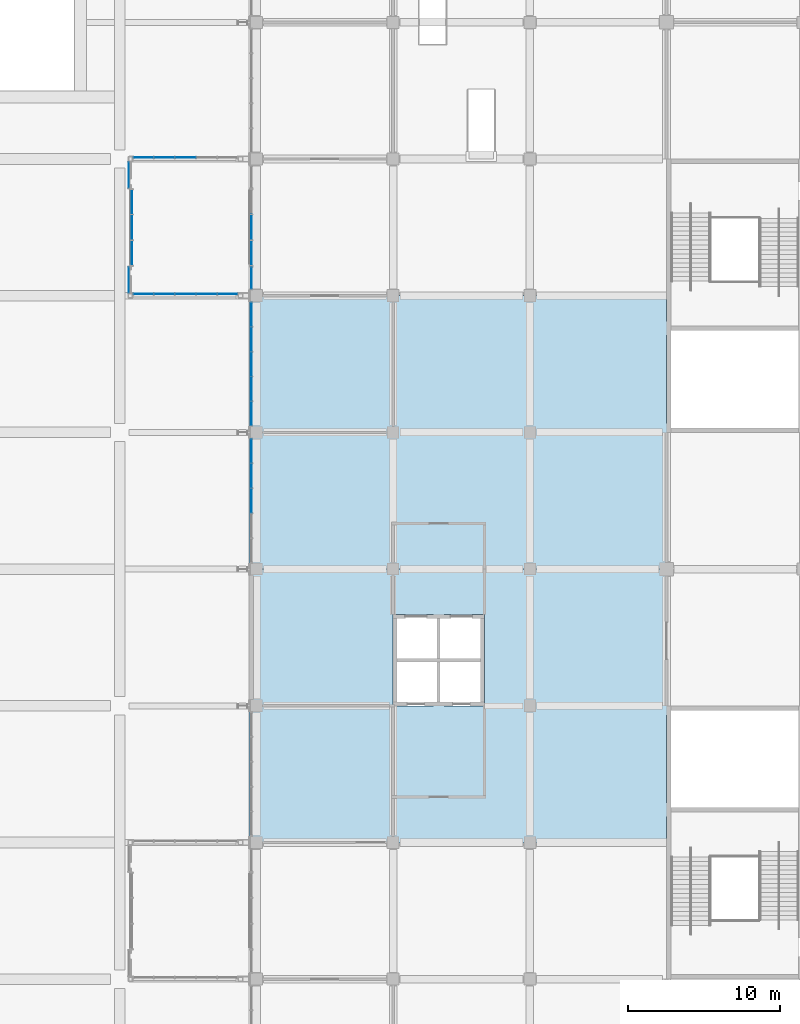
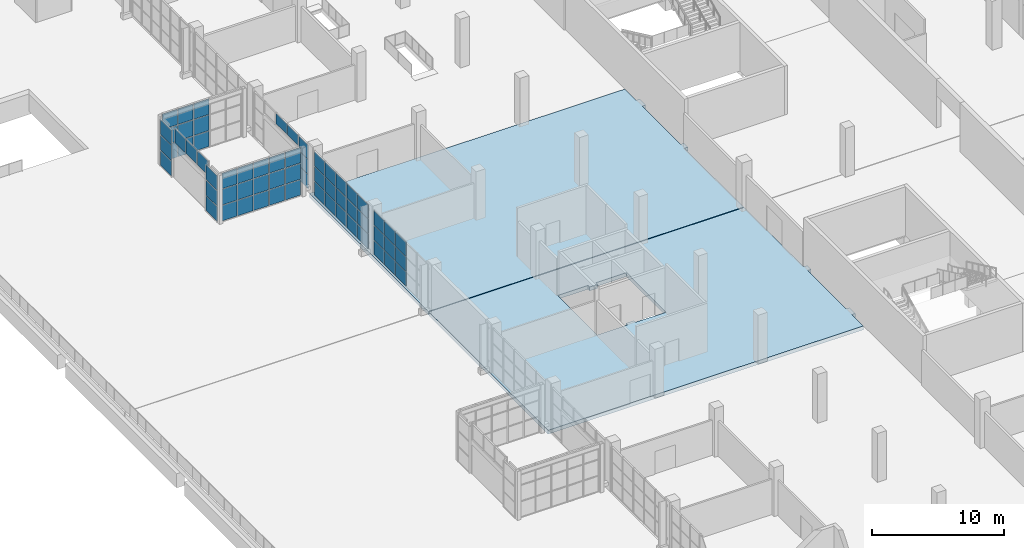
# One storey, part 80 of 168: 62 plates, 2 slabs, 9 elements without a shape of their own.
"""IFC4 building model written with IfcOpenShell, lengths in metres."""

import ifcopenshell
import ifcopenshell.guid

model = None  # the IFC model being written
_history = None  # IfcOwnerHistory: only IFC2X3 demands one
_inside = {}  # id of a spatial element -> (the spatial element, [elements in it])
_under = {}  # id of a project, library or spatial element -> (it, [spatial elements below it])
_declared = {}  # id of a project -> (the project, [libraries it declares])
_typed = {}  # id of a type object -> (the type object, [elements of that type])
_made_of = {}  # id of a material, layer set ... -> (it, [elements and type objects made of it])


def new_model(schema):
    """Start an empty IFC model of exactly this schema.

    Asked for "IFC4X3", IfcOpenShell would pick the latest addendum, in which some entities
    have other attributes; the version numbers below select the first issue.
    IFC2X3 requires an IfcOwnerHistory on every rooted entity: one is made here for all.
    """
    global model, _history
    if schema == "IFC4X3":
        model = ifcopenshell.file(schema_version=(4, 3, 0, 0))
    else:
        model = ifcopenshell.file(schema=schema)
    _inside.clear()
    _under.clear()
    _declared.clear()
    _typed.clear()
    _made_of.clear()
    _history = None
    if model.schema == "IFC2X3":
        org = make("IfcOrganization", Name="unknown")
        user = make(
            "IfcPersonAndOrganization",
            ThePerson=make("IfcPerson", FamilyName="unknown"),
            TheOrganization=org,
        )
        app = make(
            "IfcApplication",
            ApplicationDeveloper=org,
            Version="unknown",
            ApplicationFullName="unknown",
            ApplicationIdentifier="unknown",
        )
        _history = make(
            "IfcOwnerHistory",
            OwningUser=user,
            OwningApplication=app,
            ChangeAction="ADDED",
            CreationDate=0,
        )
    return model


def make(cls, **values):
    """One entity of the class cls with the attributes given. An attribute that is None is left unset."""
    return model.create_entity(
        cls, **{name: value for name, value in values.items() if value is not None}
    )


def rooted(cls, **values):
    """An entity with a GlobalId (a new one), such as an element, a storey or a relation."""
    return make(cls, GlobalId=ifcopenshell.guid.new(), OwnerHistory=_history, **values)


def si_unit(unit_type, name, prefix=None):
    """IfcSIUnit, for example si_unit("LENGTHUNIT", "METRE", prefix="MILLI")."""
    return make("IfcSIUnit", UnitType=unit_type, Prefix=prefix, Name=name)


def assignment(units):
    """IfcUnitAssignment: the units of a project."""
    return None if units is None else make("IfcUnitAssignment", Units=units)


def point(xyz):
    """IfcCartesianPoint."""
    return None if xyz is None else make("IfcCartesianPoint", Coordinates=xyz)


def direction(xyz):
    """IfcDirection."""
    return None if xyz is None else make("IfcDirection", DirectionRatios=xyz)


def frame(location, z_axis=None, x_axis=None):
    """IfcAxis2Placement3D, a coordinate frame: its origin and axes. An axis left out is left unset."""
    return make(
        "IfcAxis2Placement3D",
        Location=point(location),
        Axis=direction(z_axis),
        RefDirection=direction(x_axis),
    )


def frame_2d(location, x_axis=None):
    """IfcAxis2Placement2D, a coordinate frame in the plane: its origin and x axis."""
    return make(
        "IfcAxis2Placement2D", Location=point(location), RefDirection=direction(x_axis)
    )


def origin():
    """The frame at (0, 0, 0) with its axes left unset."""
    return frame((0.0, 0.0, 0.0))


def origin_2d():
    """The frame at (0, 0) in the plane with its x axis left unset."""
    return frame_2d((0.0, 0.0))


def place(relative_to, where):
    """IfcLocalPlacement: puts the frame where relative to a parent placement (None: the world)."""
    return make(
        "IfcLocalPlacement", PlacementRelTo=relative_to, RelativePlacement=where
    )


def context(
    kind, dimensions, precision=None, world=None, true_north=None, identifier=None
):
    """IfcGeometricRepresentationContext, for example the 3D "Model" context."""
    return make(
        "IfcGeometricRepresentationContext",
        ContextIdentifier=identifier,
        ContextType=kind,
        CoordinateSpaceDimension=dimensions,
        Precision=precision,
        WorldCoordinateSystem=world,
        TrueNorth=true_north,
    )


def subcontext(parent, identifier, kind, view, scale=None):
    """IfcGeometricRepresentationSubContext, for example "Body" below "Model"."""
    return make(
        "IfcGeometricRepresentationSubContext",
        ContextIdentifier=identifier,
        ContextType=kind,
        ParentContext=parent,
        TargetScale=scale,
        TargetView=view,
    )


def project(units=None, contexts=None):
    """IfcProject with its units and contexts."""
    return rooted(
        "IfcProject",
        Name="project",
        RepresentationContexts=contexts,
        UnitsInContext=assignment(units),
    )


def spatial(cls, under=None, at=None, **own):
    """A site, building, storey or space (cls), placed at a placement, below another one or the project."""
    s = rooted(cls, ObjectPlacement=at, **own)
    if under is not None:
        _under.setdefault(under.id(), (under, []))[1].append(s)
    return s


def polyline(points):
    """IfcPolyline through the points."""
    return make("IfcPolyline", Points=[point(p) for p in points])


def profile(cls, at=None, kind="AREA", **sizes):
    """A parametric profile (cls). Its sizes go by their IFC names, for example OverallWidth=200.0."""
    return make(cls, ProfileType=kind, Position=at, **sizes)


def rectangle(**sizes):
    """IfcRectangleProfileDef."""
    return profile("IfcRectangleProfileDef", **sizes)


def outline(outer, holes=None, kind="AREA"):
    """IfcArbitraryClosedProfileDef: a profile drawn as a closed curve; with holes, ...WithVoids."""
    if holes is None:
        return make("IfcArbitraryClosedProfileDef", ProfileType=kind, OuterCurve=outer)
    return make(
        "IfcArbitraryProfileDefWithVoids",
        ProfileType=kind,
        OuterCurve=outer,
        InnerCurves=holes,
    )


def extrude(swept, where, along, depth):
    """IfcExtrudedAreaSolid: the profile swept, set in the frame where, extruded along a direction by depth."""
    return make(
        "IfcExtrudedAreaSolid",
        SweptArea=swept,
        Position=where,
        ExtrudedDirection=direction(along),
        Depth=depth,
    )


def shape(context_of_items, identifier, shape_type, items):
    """IfcShapeRepresentation: the items that make up one representation, for example the "Body"."""
    return make(
        "IfcShapeRepresentation",
        ContextOfItems=context_of_items,
        RepresentationIdentifier=identifier,
        RepresentationType=shape_type,
        Items=items,
    )


def material(Name=None, Category=None):
    """IfcMaterial."""
    return make("IfcMaterial", Name=Name, Category=Category)


def layer(
    of_material, thickness, ventilated=None, Name=None, Category=None, Priority=None
):
    """IfcMaterialLayer: one layer of a wall or slab, of a material (None: an air gap)."""
    return make(
        "IfcMaterialLayer",
        Material=of_material,
        LayerThickness=thickness,
        IsVentilated=ventilated,
        Name=Name,
        Category=Category,
        Priority=Priority,
    )


def layer_set(layers, Name=None):
    """IfcMaterialLayerSet."""
    return make("IfcMaterialLayerSet", MaterialLayers=layers, LayerSetName=Name)


def made_of(thing, what):
    """Note that an element or type object is made of a material, layer set ...; save() writes the relation."""
    if what is not None:
        _made_of.setdefault(what.id(), (what, []))[1].append(thing)
    return thing


def type_object(cls, material=None, **own):
    """A type object (cls), such as IfcWallType, which elements share."""
    return made_of(rooted(cls, **own), material)


def element(
    cls,
    number,
    at=None,
    inside=None,
    cuts=None,
    type_object=None,
    material=None,
    context=None,
    identifier="Body",
    shape_type=None,
    held_by="IfcProductDefinitionShape",
    body=None,
    shapes=None,
    **own,
):
    """One element of the class cls, such as IfcWall. Its Tag is "e" and its number.

    at: its placement. inside: the storey or other place that contains it. cuts: it is an
    opening in that element (IfcRelVoidsElement). A single representation is given by context,
    identifier, shape_type and body (its items); several are given by shapes. held_by: the class
    of the entity that holds the representations. save() writes the other relations.
    """
    e = rooted(cls, Tag="e%d" % number, ObjectPlacement=at, **own)
    if body is not None:
        shapes = [shape(context, identifier, shape_type, body)]
    if shapes is not None:
        e.Representation = make(held_by, Representations=shapes)
    if inside is not None:
        _inside.setdefault(inside.id(), (inside, []))[1].append(e)
    if cuts is not None:
        rooted(
            "IfcRelVoidsElement", RelatingBuildingElement=cuts, RelatedOpeningElement=e
        )
    if type_object is not None:
        _typed.setdefault(type_object.id(), (type_object, []))[1].append(e)
    return made_of(e, material)


def aggregate(whole, parts):
    """IfcRelAggregates: a whole, such as a stair, and the parts it consists of."""
    return rooted("IfcRelAggregates", RelatingObject=whole, RelatedObjects=parts)


def save(model, path):
    """Write the relations noted so far, then the file.

    IfcRelAggregates (storeys below a building ...), IfcRelContainedInSpatialStructure (elements
    in a storey), IfcRelDefinesByType, IfcRelAssociatesMaterial and IfcRelDeclares: one each for
    every whole, place, type object, material and project.
    """
    for whole, parts in _under.values():
        aggregate(whole, parts)
    for where, things in _inside.values():
        rooted(
            "IfcRelContainedInSpatialStructure",
            RelatedElements=things,
            RelatingStructure=where,
        )
    for kind, things in _typed.values():
        rooted("IfcRelDefinesByType", RelatedObjects=things, RelatingType=kind)
    for what, things in _made_of.values():
        rooted("IfcRelAssociatesMaterial", RelatedObjects=things, RelatingMaterial=what)
    for by, libraries in _declared.values():
        rooted("IfcRelDeclares", RelatingContext=by, RelatedDefinitions=libraries)
    model.write(path)


model = new_model("IFC4")

# Units and contexts
model_context = context("Model", 3, precision=1e-05, world=origin(), true_north=direction((0.0, 1.0)))
body_context = subcontext(model_context, "Body", "Model", "MODEL_VIEW")
ifc_project = project(units=[si_unit("LENGTHUNIT", "METRE"), si_unit("AREAUNIT", "SQUARE_METRE"), si_unit("VOLUMEUNIT", "CUBIC_METRE"), si_unit("PLANEANGLEUNIT", "RADIAN"), si_unit("MASSUNIT", "GRAM", prefix="KILO")], contexts=[model_context])

# Site, building, storey
site_placement = place(None, origin())
site = spatial("IfcSite", under=ifc_project, at=site_placement, CompositionType="ELEMENT")
building_placement = place(site_placement, origin())
building = spatial("IfcBuilding", under=site, at=building_placement, Name="Silverbay Arena", CompositionType="ELEMENT")
storey_placement = place(building_placement, frame((0.0, 0.0, 7.0)))
storey = spatial("IfcBuildingStorey", under=building, at=storey_placement, Name="L01", CompositionType="ELEMENT", Elevation=7.0)

# Curtain wall, plates
ifc_material_1 = material(Name="Aluminium framed curtain wall", Category="aluminium")
curtain_wall_type_1 = type_object("IfcCurtainWallType", Name="Curtain wall 8200 x 4150", PredefinedType="NOTDEFINED", material=ifc_material_1)
curtain_wall_1_placement = place(storey_placement, origin())
curtain_wall_1 = element("IfcCurtainWall", 1, at=curtain_wall_1_placement, inside=storey, type_object=curtain_wall_type_1, Name="West curtain wall L01 bay 8", PredefinedType="NOTDEFINED")
ifc_material_2 = material(Name="Laminated glass", Category="glass")
ifc_layer_1 = layer(ifc_material_2, 0.028076171875)
ifc_layer_set_1 = layer_set([ifc_layer_1], Name="Laminated glass")
plate_type = type_object("IfcPlateType", Name="Glass panel 28", PredefinedType="CURTAIN_PANEL", material=ifc_layer_set_1)
plate_1_placement = place(storey_placement, frame((26.669921875, 88.764892578125, 0.0498046875), z_axis=(0.0, 0.0, 1.0), x_axis=(0.0, -1.0, 0.0)))
plate_1 = element("IfcPlate", 2, at=plate_1_placement, type_object=plate_type, Name="CW7 panel 1.1", PredefinedType="CURTAIN_PANEL", context=body_context, shape_type="SweptSolid", body=[
    extrude(rectangle(XDim=1.550048828125, YDim=0.028076171875, at=origin_2d()), origin(), (0.0, 0.0, 1.0), 1.308349609375),
])
plate_2_placement = place(storey_placement, frame((26.669921875, 88.764892578125, 1.408203125), z_axis=(0.0, 0.0, 1.0), x_axis=(0.0, -1.0, 0.0)))
plate_2 = element("IfcPlate", 3, at=plate_2_placement, type_object=plate_type, Name="CW7 panel 1.2", PredefinedType="CURTAIN_PANEL", context=body_context, shape_type="SweptSolid", body=[
    extrude(rectangle(XDim=1.550048828125, YDim=0.028076171875, at=origin_2d()), origin(), (0.0, 0.0, 1.0), 1.333251953125),
])
plate_3_placement = place(storey_placement, frame((26.669921875, 88.764892578125, 2.79150390625), z_axis=(0.0, 0.0, 1.0), x_axis=(0.0, -1.0, 0.0)))
plate_3 = element("IfcPlate", 4, at=plate_3_placement, type_object=plate_type, Name="CW7 panel 1.3", PredefinedType="CURTAIN_PANEL", context=body_context, shape_type="SweptSolid", body=[
    extrude(rectangle(XDim=1.550048828125, YDim=0.028076171875, at=origin_2d()), origin(), (0.0, 0.0, 1.0), 1.308349609375),
])
plate_4_placement = place(storey_placement, frame((26.669921875, 87.139892578125, 0.0498046875), z_axis=(0.0, 0.0, 1.0), x_axis=(0.0, -1.0, 0.0)))
plate_4 = element("IfcPlate", 5, at=plate_4_placement, type_object=plate_type, Name="CW7 panel 2.1", PredefinedType="CURTAIN_PANEL", context=body_context, shape_type="SweptSolid", body=[
    extrude(rectangle(XDim=1.580078125, YDim=0.028076171875, at=origin_2d()), origin(), (0.0, 0.0, 1.0), 1.308349609375),
])
plate_5_placement = place(storey_placement, frame((26.669921875, 87.139892578125, 1.408203125), z_axis=(0.0, 0.0, 1.0), x_axis=(0.0, -1.0, 0.0)))
plate_5 = element("IfcPlate", 6, at=plate_5_placement, type_object=plate_type, Name="CW7 panel 2.2", PredefinedType="CURTAIN_PANEL", context=body_context, shape_type="SweptSolid", body=[
    extrude(rectangle(XDim=1.580078125, YDim=0.028076171875, at=origin_2d()), origin(), (0.0, 0.0, 1.0), 1.333251953125),
])
plate_6_placement = place(storey_placement, frame((26.669921875, 87.139892578125, 2.79150390625), z_axis=(0.0, 0.0, 1.0), x_axis=(0.0, -1.0, 0.0)))
plate_6 = element("IfcPlate", 7, at=plate_6_placement, type_object=plate_type, Name="CW7 panel 2.3", PredefinedType="CURTAIN_PANEL", context=body_context, shape_type="SweptSolid", body=[
    extrude(rectangle(XDim=1.580078125, YDim=0.028076171875, at=origin_2d()), origin(), (0.0, 0.0, 1.0), 1.308349609375),
])
plate_7_placement = place(storey_placement, frame((26.669921875, 85.5, 0.0498046875), z_axis=(0.0, 0.0, 1.0), x_axis=(0.0, -1.0, 0.0)))
plate_7 = element("IfcPlate", 8, at=plate_7_placement, type_object=plate_type, Name="CW7 panel 3.1", PredefinedType="CURTAIN_PANEL", context=body_context, shape_type="SweptSolid", body=[
    extrude(rectangle(XDim=1.580078125, YDim=0.028076171875, at=origin_2d()), origin(), (0.0, 0.0, 1.0), 1.308349609375),
])
plate_8_placement = place(storey_placement, frame((26.669921875, 85.5, 1.408203125), z_axis=(0.0, 0.0, 1.0), x_axis=(0.0, -1.0, 0.0)))
plate_8 = element("IfcPlate", 9, at=plate_8_placement, type_object=plate_type, Name="CW7 panel 3.2", PredefinedType="CURTAIN_PANEL", context=body_context, shape_type="SweptSolid", body=[
    extrude(rectangle(XDim=1.580078125, YDim=0.028076171875, at=origin_2d()), origin(), (0.0, 0.0, 1.0), 1.333251953125),
])
plate_9_placement = place(storey_placement, frame((26.669921875, 85.5, 2.79150390625), z_axis=(0.0, 0.0, 1.0), x_axis=(0.0, -1.0, 0.0)))
plate_9 = element("IfcPlate", 10, at=plate_9_placement, type_object=plate_type, Name="CW7 panel 3.3", PredefinedType="CURTAIN_PANEL", context=body_context, shape_type="SweptSolid", body=[
    extrude(rectangle(XDim=1.580078125, YDim=0.028076171875, at=origin_2d()), origin(), (0.0, 0.0, 1.0), 1.308349609375),
])
aggregate(curtain_wall_1, [plate_1, plate_2, plate_3, plate_4, plate_5, plate_6, plate_7, plate_8, plate_9])

curtain_wall_2_placement = place(storey_placement, origin())
curtain_wall_2 = element("IfcCurtainWall", 11, at=curtain_wall_2_placement, inside=storey, type_object=curtain_wall_type_1, Name="West curtain wall L01 bay 9", PredefinedType="NOTDEFINED")
plate_10_placement = place(storey_placement, frame((26.669921875, 97.764892578125, 0.0498046875), z_axis=(0.0, 0.0, 1.0), x_axis=(0.0, -1.0, 0.0)))
plate_10 = element("IfcPlate", 12, at=plate_10_placement, type_object=plate_type, Name="CW7 panel 1.1", PredefinedType="CURTAIN_PANEL", context=body_context, shape_type="SweptSolid", body=[
    extrude(rectangle(XDim=1.550048828125, YDim=0.028076171875, at=origin_2d()), origin(), (0.0, 0.0, 1.0), 1.308349609375),
])
plate_11_placement = place(storey_placement, frame((26.669921875, 97.764892578125, 1.408203125), z_axis=(0.0, 0.0, 1.0), x_axis=(0.0, -1.0, 0.0)))
plate_11 = element("IfcPlate", 13, at=plate_11_placement, type_object=plate_type, Name="CW7 panel 1.2", PredefinedType="CURTAIN_PANEL", context=body_context, shape_type="SweptSolid", body=[
    extrude(rectangle(XDim=1.550048828125, YDim=0.028076171875, at=origin_2d()), origin(), (0.0, 0.0, 1.0), 1.333251953125),
])
plate_12_placement = place(storey_placement, frame((26.669921875, 97.764892578125, 2.79150390625), z_axis=(0.0, 0.0, 1.0), x_axis=(0.0, -1.0, 0.0)))
plate_12 = element("IfcPlate", 14, at=plate_12_placement, type_object=plate_type, Name="CW7 panel 1.3", PredefinedType="CURTAIN_PANEL", context=body_context, shape_type="SweptSolid", body=[
    extrude(rectangle(XDim=1.550048828125, YDim=0.028076171875, at=origin_2d()), origin(), (0.0, 0.0, 1.0), 1.308349609375),
])
plate_13_placement = place(storey_placement, frame((26.669921875, 96.139892578125, 0.0498046875), z_axis=(0.0, 0.0, 1.0), x_axis=(0.0, -1.0, 0.0)))
plate_13 = element("IfcPlate", 15, at=plate_13_placement, type_object=plate_type, Name="CW7 panel 2.1", PredefinedType="CURTAIN_PANEL", context=body_context, shape_type="SweptSolid", body=[
    extrude(rectangle(XDim=1.580078125, YDim=0.028076171875, at=origin_2d()), origin(), (0.0, 0.0, 1.0), 1.308349609375),
])
plate_14_placement = place(storey_placement, frame((26.669921875, 96.139892578125, 1.408203125), z_axis=(0.0, 0.0, 1.0), x_axis=(0.0, -1.0, 0.0)))
plate_14 = element("IfcPlate", 16, at=plate_14_placement, type_object=plate_type, Name="CW7 panel 2.2", PredefinedType="CURTAIN_PANEL", context=body_context, shape_type="SweptSolid", body=[
    extrude(rectangle(XDim=1.580078125, YDim=0.028076171875, at=origin_2d()), origin(), (0.0, 0.0, 1.0), 1.333251953125),
])
plate_15_placement = place(storey_placement, frame((26.669921875, 96.139892578125, 2.79150390625), z_axis=(0.0, 0.0, 1.0), x_axis=(0.0, -1.0, 0.0)))
plate_15 = element("IfcPlate", 17, at=plate_15_placement, type_object=plate_type, Name="CW7 panel 2.3", PredefinedType="CURTAIN_PANEL", context=body_context, shape_type="SweptSolid", body=[
    extrude(rectangle(XDim=1.580078125, YDim=0.028076171875, at=origin_2d()), origin(), (0.0, 0.0, 1.0), 1.308349609375),
])
plate_16_placement = place(storey_placement, frame((26.669921875, 94.5, 0.0498046875), z_axis=(0.0, 0.0, 1.0), x_axis=(0.0, -1.0, 0.0)))
plate_16 = element("IfcPlate", 18, at=plate_16_placement, type_object=plate_type, Name="CW7 panel 3.1", PredefinedType="CURTAIN_PANEL", context=body_context, shape_type="SweptSolid", body=[
    extrude(rectangle(XDim=1.580078125, YDim=0.028076171875, at=origin_2d()), origin(), (0.0, 0.0, 1.0), 1.308349609375),
])
plate_17_placement = place(storey_placement, frame((26.669921875, 94.5, 1.408203125), z_axis=(0.0, 0.0, 1.0), x_axis=(0.0, -1.0, 0.0)))
plate_17 = element("IfcPlate", 19, at=plate_17_placement, type_object=plate_type, Name="CW7 panel 3.2", PredefinedType="CURTAIN_PANEL", context=body_context, shape_type="SweptSolid", body=[
    extrude(rectangle(XDim=1.580078125, YDim=0.028076171875, at=origin_2d()), origin(), (0.0, 0.0, 1.0), 1.333251953125),
])
plate_18_placement = place(storey_placement, frame((26.669921875, 94.5, 2.79150390625), z_axis=(0.0, 0.0, 1.0), x_axis=(0.0, -1.0, 0.0)))
plate_18 = element("IfcPlate", 20, at=plate_18_placement, type_object=plate_type, Name="CW7 panel 3.3", PredefinedType="CURTAIN_PANEL", context=body_context, shape_type="SweptSolid", body=[
    extrude(rectangle(XDim=1.580078125, YDim=0.028076171875, at=origin_2d()), origin(), (0.0, 0.0, 1.0), 1.308349609375),
])
plate_19_placement = place(storey_placement, frame((26.669921875, 92.860107421875, 0.0498046875), z_axis=(0.0, 0.0, 1.0), x_axis=(0.0, -1.0, 0.0)))
plate_19 = element("IfcPlate", 21, at=plate_19_placement, type_object=plate_type, Name="CW7 panel 4.1", PredefinedType="CURTAIN_PANEL", context=body_context, shape_type="SweptSolid", body=[
    extrude(rectangle(XDim=1.580078125, YDim=0.028076171875, at=origin_2d()), origin(), (0.0, 0.0, 1.0), 1.308349609375),
])
plate_20_placement = place(storey_placement, frame((26.669921875, 92.860107421875, 1.408203125), z_axis=(0.0, 0.0, 1.0), x_axis=(0.0, -1.0, 0.0)))
plate_20 = element("IfcPlate", 22, at=plate_20_placement, type_object=plate_type, Name="CW7 panel 4.2", PredefinedType="CURTAIN_PANEL", context=body_context, shape_type="SweptSolid", body=[
    extrude(rectangle(XDim=1.580078125, YDim=0.028076171875, at=origin_2d()), origin(), (0.0, 0.0, 1.0), 1.333251953125),
])
plate_21_placement = place(storey_placement, frame((26.669921875, 92.860107421875, 2.79150390625), z_axis=(0.0, 0.0, 1.0), x_axis=(0.0, -1.0, 0.0)))
plate_21 = element("IfcPlate", 23, at=plate_21_placement, type_object=plate_type, Name="CW7 panel 4.3", PredefinedType="CURTAIN_PANEL", context=body_context, shape_type="SweptSolid", body=[
    extrude(rectangle(XDim=1.580078125, YDim=0.028076171875, at=origin_2d()), origin(), (0.0, 0.0, 1.0), 1.308349609375),
])
plate_22_placement = place(storey_placement, frame((26.669921875, 91.235107421875, 0.0498046875), z_axis=(0.0, 0.0, 1.0), x_axis=(0.0, -1.0, 0.0)))
plate_22 = element("IfcPlate", 24, at=plate_22_placement, type_object=plate_type, Name="CW7 panel 5.1", PredefinedType="CURTAIN_PANEL", context=body_context, shape_type="SweptSolid", body=[
    extrude(rectangle(XDim=1.550048828125, YDim=0.028076171875, at=origin_2d()), origin(), (0.0, 0.0, 1.0), 1.308349609375),
])
plate_23_placement = place(storey_placement, frame((26.669921875, 91.235107421875, 1.408203125), z_axis=(0.0, 0.0, 1.0), x_axis=(0.0, -1.0, 0.0)))
plate_23 = element("IfcPlate", 25, at=plate_23_placement, type_object=plate_type, Name="CW7 panel 5.2", PredefinedType="CURTAIN_PANEL", context=body_context, shape_type="SweptSolid", body=[
    extrude(rectangle(XDim=1.550048828125, YDim=0.028076171875, at=origin_2d()), origin(), (0.0, 0.0, 1.0), 1.333251953125),
])
plate_24_placement = place(storey_placement, frame((26.669921875, 91.235107421875, 2.79150390625), z_axis=(0.0, 0.0, 1.0), x_axis=(0.0, -1.0, 0.0)))
plate_24 = element("IfcPlate", 26, at=plate_24_placement, type_object=plate_type, Name="CW7 panel 5.3", PredefinedType="CURTAIN_PANEL", context=body_context, shape_type="SweptSolid", body=[
    extrude(rectangle(XDim=1.550048828125, YDim=0.028076171875, at=origin_2d()), origin(), (0.0, 0.0, 1.0), 1.308349609375),
])
aggregate(curtain_wall_2, [plate_10, plate_11, plate_12, plate_13, plate_14, plate_15, plate_16, plate_17, plate_18, plate_19, plate_20, plate_21, plate_22, plate_23, plate_24])

ifc_material_3 = material(Name="Aluminium framed curtain wall", Category="aluminium")
curtain_wall_type_2 = type_object("IfcCurtainWallType", Name="Curtain wall 1550 x 4150", PredefinedType="NOTDEFINED", material=ifc_material_3)
curtain_wall_3_placement = place(storey_placement, origin())
curtain_wall_3 = element("IfcCurtainWall", 27, at=curtain_wall_3_placement, inside=storey, type_object=curtain_wall_type_2, Name="West curtain wall L01 bay 10", PredefinedType="NOTDEFINED")
plate_25_placement = place(storey_placement, frame((26.669921875, 100.175048828125, 0.0498046875), z_axis=(0.0, 0.0, 1.0), x_axis=(0.0, -1.0, 0.0)))
plate_25 = element("IfcPlate", 28, at=plate_25_placement, type_object=plate_type, Name="CW8 panel 1.1", PredefinedType="CURTAIN_PANEL", context=body_context, shape_type="SweptSolid", body=[
    extrude(rectangle(XDim=1.429931640625, YDim=0.028076171875, at=origin_2d()), origin(), (0.0, 0.0, 1.0), 1.308349609375),
])
plate_26_placement = place(storey_placement, frame((26.669921875, 100.175048828125, 1.408203125), z_axis=(0.0, 0.0, 1.0), x_axis=(0.0, -1.0, 0.0)))
plate_26 = element("IfcPlate", 29, at=plate_26_placement, type_object=plate_type, Name="CW8 panel 1.2", PredefinedType="CURTAIN_PANEL", context=body_context, shape_type="SweptSolid", body=[
    extrude(rectangle(XDim=1.429931640625, YDim=0.028076171875, at=origin_2d()), origin(), (0.0, 0.0, 1.0), 1.333251953125),
])
plate_27_placement = place(storey_placement, frame((26.669921875, 100.175048828125, 2.79150390625), z_axis=(0.0, 0.0, 1.0), x_axis=(0.0, -1.0, 0.0)))
plate_27 = element("IfcPlate", 30, at=plate_27_placement, type_object=plate_type, Name="CW8 panel 1.3", PredefinedType="CURTAIN_PANEL", context=body_context, shape_type="SweptSolid", body=[
    extrude(rectangle(XDim=1.429931640625, YDim=0.028076171875, at=origin_2d()), origin(), (0.0, 0.0, 1.0), 1.308349609375),
])
aggregate(curtain_wall_3, [plate_25, plate_26, plate_27])

ifc_material_4 = material(Name="Aluminium framed curtain wall", Category="aluminium")
curtain_wall_type_3 = type_object("IfcCurtainWallType", Name="Curtain wall 5100 x 1050", PredefinedType="NOTDEFINED", material=ifc_material_4)
curtain_wall_4_placement = place(storey_placement, origin())
curtain_wall_4 = element("IfcCurtainWall", 31, at=curtain_wall_4_placement, inside=storey, type_object=curtain_wall_type_3, Name="West curtain wall L01 bay 10", PredefinedType="NOTDEFINED")
plate_28_placement = place(storey_placement, frame((26.669921875, 103.5, 3.14990234375), z_axis=(0.0, 0.0, 1.0), x_axis=(0.0, -1.0, 0.0)))
plate_28 = element("IfcPlate", 32, at=plate_28_placement, type_object=plate_type, Name="CW9 panel 2.1", PredefinedType="CURTAIN_PANEL", context=body_context, shape_type="SweptSolid", body=[
    extrude(rectangle(XDim=1.639892578125, YDim=0.028076171875, at=origin_2d()), origin(), (0.0, 0.0, 1.0), 0.949951171875),
])
plate_29_placement = place(storey_placement, frame((26.669921875, 101.81494140625, 3.14990234375), z_axis=(0.0, 0.0, 1.0), x_axis=(0.0, -1.0, 0.0)))
plate_29 = element("IfcPlate", 33, at=plate_29_placement, type_object=plate_type, Name="CW9 panel 3.1", PredefinedType="CURTAIN_PANEL", context=body_context, shape_type="SweptSolid", body=[
    extrude(rectangle(XDim=1.610107421875, YDim=0.028076171875, at=origin_2d()), origin(), (0.0, 0.0, 1.0), 0.949951171875),
])
aggregate(curtain_wall_4, [plate_28, plate_29])

ifc_material_5 = material(Name="Aluminium framed curtain wall", Category="aluminium")
curtain_wall_type_4 = type_object("IfcCurtainWallType", Name="Curtain wall 1800 x 4300", PredefinedType="NOTDEFINED", material=ifc_material_5)
curtain_wall_5_placement = place(storey_placement, origin())
curtain_wall_5 = element("IfcCurtainWall", 34, at=curtain_wall_5_placement, inside=storey, type_object=curtain_wall_type_4, Name="West entrance hall W1 glazing F0a", PredefinedType="NOTDEFINED")
plate_30_placement = place(storey_placement, frame((18.590087890625, 100.050048828125, 0.050048828125), z_axis=(0.0, 0.0, 1.0), x_axis=(0.0, 1.0, 0.0)))
plate_30 = element("IfcPlate", 35, at=plate_30_placement, type_object=plate_type, Name="CW49 panel 1.1", PredefinedType="CURTAIN_PANEL", context=body_context, shape_type="SweptSolid", body=[
    extrude(rectangle(XDim=1.679931640625, YDim=0.028076171875, at=origin_2d()), origin(), (0.0, 0.0, 1.0), 1.3583984375),
])
plate_31_placement = place(storey_placement, frame((18.590087890625, 100.050048828125, 1.458251953125), z_axis=(0.0, 0.0, 1.0), x_axis=(0.0, 1.0, 0.0)))
plate_31 = element("IfcPlate", 36, at=plate_31_placement, type_object=plate_type, Name="CW49 panel 1.2", PredefinedType="CURTAIN_PANEL", context=body_context, shape_type="SweptSolid", body=[
    extrude(rectangle(XDim=1.679931640625, YDim=0.028076171875, at=origin_2d()), origin(), (0.0, 0.0, 1.0), 1.38330078125),
])
plate_32_placement = place(storey_placement, frame((18.590087890625, 100.050048828125, 2.8916015625), z_axis=(0.0, 0.0, 1.0), x_axis=(0.0, 1.0, 0.0)))
plate_32 = element("IfcPlate", 37, at=plate_32_placement, type_object=plate_type, Name="CW49 panel 1.3", PredefinedType="CURTAIN_PANEL", context=body_context, shape_type="SweptSolid", body=[
    extrude(rectangle(XDim=1.679931640625, YDim=0.028076171875, at=origin_2d()), origin(), (0.0, 0.0, 1.0), 1.3583984375),
])
aggregate(curtain_wall_5, [plate_30, plate_31, plate_32])

curtain_wall_6_placement = place(storey_placement, origin())
curtain_wall_6 = element("IfcCurtainWall", 38, at=curtain_wall_6_placement, inside=storey, type_object=curtain_wall_type_4, Name="West entrance hall W1 glazing F0b", PredefinedType="NOTDEFINED")
plate_33_placement = place(storey_placement, frame((18.590087890625, 106.949951171875, 0.050048828125), z_axis=(0.0, 0.0, 1.0), x_axis=(0.0, 1.0, 0.0)))
plate_33 = element("IfcPlate", 39, at=plate_33_placement, type_object=plate_type, Name="CW49 panel 1.1", PredefinedType="CURTAIN_PANEL", context=body_context, shape_type="SweptSolid", body=[
    extrude(rectangle(XDim=1.679931640625, YDim=0.028076171875, at=origin_2d()), origin(), (0.0, 0.0, 1.0), 1.3583984375),
])
plate_34_placement = place(storey_placement, frame((18.590087890625, 106.949951171875, 1.458251953125), z_axis=(0.0, 0.0, 1.0), x_axis=(0.0, 1.0, 0.0)))
plate_34 = element("IfcPlate", 40, at=plate_34_placement, type_object=plate_type, Name="CW49 panel 1.2", PredefinedType="CURTAIN_PANEL", context=body_context, shape_type="SweptSolid", body=[
    extrude(rectangle(XDim=1.679931640625, YDim=0.028076171875, at=origin_2d()), origin(), (0.0, 0.0, 1.0), 1.38330078125),
])
plate_35_placement = place(storey_placement, frame((18.590087890625, 106.949951171875, 2.8916015625), z_axis=(0.0, 0.0, 1.0), x_axis=(0.0, 1.0, 0.0)))
plate_35 = element("IfcPlate", 41, at=plate_35_placement, type_object=plate_type, Name="CW49 panel 1.3", PredefinedType="CURTAIN_PANEL", context=body_context, shape_type="SweptSolid", body=[
    extrude(rectangle(XDim=1.679931640625, YDim=0.028076171875, at=origin_2d()), origin(), (0.0, 0.0, 1.0), 1.3583984375),
])
aggregate(curtain_wall_6, [plate_33, plate_34, plate_35])

ifc_material_6 = material(Name="Aluminium framed curtain wall", Category="aluminium")
curtain_wall_type_5 = type_object("IfcCurtainWallType", Name="Curtain wall 6950 x 4500", PredefinedType="NOTDEFINED", material=ifc_material_6)
curtain_wall_7_placement = place(storey_placement, origin())
curtain_wall_7 = element("IfcCurtainWall", 42, at=curtain_wall_7_placement, inside=storey, type_object=curtain_wall_type_5, Name="West entrance hall W1 glazing SA", PredefinedType="NOTDEFINED")
plate_36_placement = place(storey_placement, frame((19.56005859375, 99.110107421875, 0.0498046875), z_axis=(0.0, 0.0, 1.0), x_axis=(1.0, 0.0, 0.0)))
plate_36 = element("IfcPlate", 43, at=plate_36_placement, type_object=plate_type, Name="CW51 panel 1.1", PredefinedType="CURTAIN_PANEL", context=body_context, shape_type="SweptSolid", body=[
    extrude(rectangle(XDim=1.300048828125, YDim=0.028076171875, at=origin_2d()), origin(), (0.0, 0.0, 1.0), 1.425048828125),
])
plate_37_placement = place(storey_placement, frame((19.56005859375, 99.110107421875, 1.52490234375), z_axis=(0.0, 0.0, 1.0), x_axis=(1.0, 0.0, 0.0)))
plate_37 = element("IfcPlate", 44, at=plate_37_placement, type_object=plate_type, Name="CW51 panel 1.2", PredefinedType="CURTAIN_PANEL", context=body_context, shape_type="SweptSolid", body=[
    extrude(rectangle(XDim=1.300048828125, YDim=0.028076171875, at=origin_2d()), origin(), (0.0, 0.0, 1.0), 1.449951171875),
])
plate_38_placement = place(storey_placement, frame((19.56005859375, 99.110107421875, 3.02490234375), z_axis=(0.0, 0.0, 1.0), x_axis=(1.0, 0.0, 0.0)))
plate_38 = element("IfcPlate", 45, at=plate_38_placement, type_object=plate_type, Name="CW51 panel 1.3", PredefinedType="CURTAIN_PANEL", context=body_context, shape_type="SweptSolid", body=[
    extrude(rectangle(XDim=1.300048828125, YDim=0.028076171875, at=origin_2d()), origin(), (0.0, 0.0, 1.0), 1.425048828125),
])
plate_39_placement = place(storey_placement, frame((20.93505859375, 99.110107421875, 0.0498046875), z_axis=(0.0, 0.0, 1.0), x_axis=(1.0, 0.0, 0.0)))
plate_39 = element("IfcPlate", 46, at=plate_39_placement, type_object=plate_type, Name="CW51 panel 2.1", PredefinedType="CURTAIN_PANEL", context=body_context, shape_type="SweptSolid", body=[
    extrude(rectangle(XDim=1.330078125, YDim=0.028076171875, at=origin_2d()), origin(), (0.0, 0.0, 1.0), 1.425048828125),
])
plate_40_placement = place(storey_placement, frame((20.93505859375, 99.110107421875, 1.52490234375), z_axis=(0.0, 0.0, 1.0), x_axis=(1.0, 0.0, 0.0)))
plate_40 = element("IfcPlate", 47, at=plate_40_placement, type_object=plate_type, Name="CW51 panel 2.2", PredefinedType="CURTAIN_PANEL", context=body_context, shape_type="SweptSolid", body=[
    extrude(rectangle(XDim=1.330078125, YDim=0.028076171875, at=origin_2d()), origin(), (0.0, 0.0, 1.0), 1.449951171875),
])
plate_41_placement = place(storey_placement, frame((20.93505859375, 99.110107421875, 3.02490234375), z_axis=(0.0, 0.0, 1.0), x_axis=(1.0, 0.0, 0.0)))
plate_41 = element("IfcPlate", 48, at=plate_41_placement, type_object=plate_type, Name="CW51 panel 2.3", PredefinedType="CURTAIN_PANEL", context=body_context, shape_type="SweptSolid", body=[
    extrude(rectangle(XDim=1.330078125, YDim=0.028076171875, at=origin_2d()), origin(), (0.0, 0.0, 1.0), 1.425048828125),
])
plate_42_placement = place(storey_placement, frame((22.324951171875, 99.110107421875, 0.0498046875), z_axis=(0.0, 0.0, 1.0), x_axis=(1.0, 0.0, 0.0)))
plate_42 = element("IfcPlate", 49, at=plate_42_placement, type_object=plate_type, Name="CW51 panel 3.1", PredefinedType="CURTAIN_PANEL", context=body_context, shape_type="SweptSolid", body=[
    extrude(rectangle(XDim=1.330078125, YDim=0.028076171875, at=origin_2d()), origin(), (0.0, 0.0, 1.0), 1.425048828125),
])
plate_43_placement = place(storey_placement, frame((22.324951171875, 99.110107421875, 1.52490234375), z_axis=(0.0, 0.0, 1.0), x_axis=(1.0, 0.0, 0.0)))
plate_43 = element("IfcPlate", 50, at=plate_43_placement, type_object=plate_type, Name="CW51 panel 3.2", PredefinedType="CURTAIN_PANEL", context=body_context, shape_type="SweptSolid", body=[
    extrude(rectangle(XDim=1.330078125, YDim=0.028076171875, at=origin_2d()), origin(), (0.0, 0.0, 1.0), 1.449951171875),
])
plate_44_placement = place(storey_placement, frame((22.324951171875, 99.110107421875, 3.02490234375), z_axis=(0.0, 0.0, 1.0), x_axis=(1.0, 0.0, 0.0)))
plate_44 = element("IfcPlate", 51, at=plate_44_placement, type_object=plate_type, Name="CW51 panel 3.3", PredefinedType="CURTAIN_PANEL", context=body_context, shape_type="SweptSolid", body=[
    extrude(rectangle(XDim=1.330078125, YDim=0.028076171875, at=origin_2d()), origin(), (0.0, 0.0, 1.0), 1.425048828125),
])
plate_45_placement = place(storey_placement, frame((23.715087890625, 99.110107421875, 0.0498046875), z_axis=(0.0, 0.0, 1.0), x_axis=(1.0, 0.0, 0.0)))
plate_45 = element("IfcPlate", 52, at=plate_45_placement, type_object=plate_type, Name="CW51 panel 4.1", PredefinedType="CURTAIN_PANEL", context=body_context, shape_type="SweptSolid", body=[
    extrude(rectangle(XDim=1.330078125, YDim=0.028076171875, at=origin_2d()), origin(), (0.0, 0.0, 1.0), 1.425048828125),
])
plate_46_placement = place(storey_placement, frame((23.715087890625, 99.110107421875, 1.52490234375), z_axis=(0.0, 0.0, 1.0), x_axis=(1.0, 0.0, 0.0)))
plate_46 = element("IfcPlate", 53, at=plate_46_placement, type_object=plate_type, Name="CW51 panel 4.2", PredefinedType="CURTAIN_PANEL", context=body_context, shape_type="SweptSolid", body=[
    extrude(rectangle(XDim=1.330078125, YDim=0.028076171875, at=origin_2d()), origin(), (0.0, 0.0, 1.0), 1.449951171875),
])
plate_47_placement = place(storey_placement, frame((23.715087890625, 99.110107421875, 3.02490234375), z_axis=(0.0, 0.0, 1.0), x_axis=(1.0, 0.0, 0.0)))
plate_47 = element("IfcPlate", 54, at=plate_47_placement, type_object=plate_type, Name="CW51 panel 4.3", PredefinedType="CURTAIN_PANEL", context=body_context, shape_type="SweptSolid", body=[
    extrude(rectangle(XDim=1.330078125, YDim=0.028076171875, at=origin_2d()), origin(), (0.0, 0.0, 1.0), 1.425048828125),
])
plate_48_placement = place(storey_placement, frame((25.090087890625, 99.110107421875, 0.0498046875), z_axis=(0.0, 0.0, 1.0), x_axis=(1.0, 0.0, 0.0)))
plate_48 = element("IfcPlate", 55, at=plate_48_placement, type_object=plate_type, Name="CW51 panel 5.1", PredefinedType="CURTAIN_PANEL", context=body_context, shape_type="SweptSolid", body=[
    extrude(rectangle(XDim=1.300048828125, YDim=0.028076171875, at=origin_2d()), origin(), (0.0, 0.0, 1.0), 1.425048828125),
])
plate_49_placement = place(storey_placement, frame((25.090087890625, 99.110107421875, 1.52490234375), z_axis=(0.0, 0.0, 1.0), x_axis=(1.0, 0.0, 0.0)))
plate_49 = element("IfcPlate", 56, at=plate_49_placement, type_object=plate_type, Name="CW51 panel 5.2", PredefinedType="CURTAIN_PANEL", context=body_context, shape_type="SweptSolid", body=[
    extrude(rectangle(XDim=1.300048828125, YDim=0.028076171875, at=origin_2d()), origin(), (0.0, 0.0, 1.0), 1.449951171875),
])
plate_50_placement = place(storey_placement, frame((25.090087890625, 99.110107421875, 3.02490234375), z_axis=(0.0, 0.0, 1.0), x_axis=(1.0, 0.0, 0.0)))
plate_50 = element("IfcPlate", 57, at=plate_50_placement, type_object=plate_type, Name="CW51 panel 5.3", PredefinedType="CURTAIN_PANEL", context=body_context, shape_type="SweptSolid", body=[
    extrude(rectangle(XDim=1.300048828125, YDim=0.028076171875, at=origin_2d()), origin(), (0.0, 0.0, 1.0), 1.425048828125),
])
aggregate(curtain_wall_7, [plate_36, plate_37, plate_38, plate_39, plate_40, plate_41, plate_42, plate_43, plate_44, plate_45, plate_46, plate_47, plate_48, plate_49, plate_50])

curtain_wall_8_placement = place(storey_placement, origin())
curtain_wall_8 = element("IfcCurtainWall", 58, at=curtain_wall_8_placement, inside=storey, type_object=curtain_wall_type_5, Name="West entrance hall W1 glazing SB", PredefinedType="NOTDEFINED")
plate_51_placement = place(storey_placement, frame((19.56005859375, 108.110107421875, 0.0498046875), z_axis=(0.0, 0.0, 1.0), x_axis=(1.0, 0.0, 0.0)))
plate_51 = element("IfcPlate", 59, at=plate_51_placement, type_object=plate_type, Name="CW51 panel 1.1", PredefinedType="CURTAIN_PANEL", context=body_context, shape_type="SweptSolid", body=[
    extrude(rectangle(XDim=1.300048828125, YDim=0.028076171875, at=origin_2d()), origin(), (0.0, 0.0, 1.0), 1.425048828125),
])
plate_52_placement = place(storey_placement, frame((19.56005859375, 108.110107421875, 1.52490234375), z_axis=(0.0, 0.0, 1.0), x_axis=(1.0, 0.0, 0.0)))
plate_52 = element("IfcPlate", 60, at=plate_52_placement, type_object=plate_type, Name="CW51 panel 1.2", PredefinedType="CURTAIN_PANEL", context=body_context, shape_type="SweptSolid", body=[
    extrude(rectangle(XDim=1.300048828125, YDim=0.028076171875, at=origin_2d()), origin(), (0.0, 0.0, 1.0), 1.449951171875),
])
plate_53_placement = place(storey_placement, frame((19.56005859375, 108.110107421875, 3.02490234375), z_axis=(0.0, 0.0, 1.0), x_axis=(1.0, 0.0, 0.0)))
plate_53 = element("IfcPlate", 61, at=plate_53_placement, type_object=plate_type, Name="CW51 panel 1.3", PredefinedType="CURTAIN_PANEL", context=body_context, shape_type="SweptSolid", body=[
    extrude(rectangle(XDim=1.300048828125, YDim=0.028076171875, at=origin_2d()), origin(), (0.0, 0.0, 1.0), 1.425048828125),
])
plate_54_placement = place(storey_placement, frame((20.93505859375, 108.110107421875, 0.0498046875), z_axis=(0.0, 0.0, 1.0), x_axis=(1.0, 0.0, 0.0)))
plate_54 = element("IfcPlate", 62, at=plate_54_placement, type_object=plate_type, Name="CW51 panel 2.1", PredefinedType="CURTAIN_PANEL", context=body_context, shape_type="SweptSolid", body=[
    extrude(rectangle(XDim=1.330078125, YDim=0.028076171875, at=origin_2d()), origin(), (0.0, 0.0, 1.0), 1.425048828125),
])
plate_55_placement = place(storey_placement, frame((20.93505859375, 108.110107421875, 1.52490234375), z_axis=(0.0, 0.0, 1.0), x_axis=(1.0, 0.0, 0.0)))
plate_55 = element("IfcPlate", 63, at=plate_55_placement, type_object=plate_type, Name="CW51 panel 2.2", PredefinedType="CURTAIN_PANEL", context=body_context, shape_type="SweptSolid", body=[
    extrude(rectangle(XDim=1.330078125, YDim=0.028076171875, at=origin_2d()), origin(), (0.0, 0.0, 1.0), 1.449951171875),
])
plate_56_placement = place(storey_placement, frame((20.93505859375, 108.110107421875, 3.02490234375), z_axis=(0.0, 0.0, 1.0), x_axis=(1.0, 0.0, 0.0)))
plate_56 = element("IfcPlate", 64, at=plate_56_placement, type_object=plate_type, Name="CW51 panel 2.3", PredefinedType="CURTAIN_PANEL", context=body_context, shape_type="SweptSolid", body=[
    extrude(rectangle(XDim=1.330078125, YDim=0.028076171875, at=origin_2d()), origin(), (0.0, 0.0, 1.0), 1.425048828125),
])
plate_57_placement = place(storey_placement, frame((22.324951171875, 108.110107421875, 0.0498046875), z_axis=(0.0, 0.0, 1.0), x_axis=(1.0, 0.0, 0.0)))
plate_57 = element("IfcPlate", 65, at=plate_57_placement, type_object=plate_type, Name="CW51 panel 3.1", PredefinedType="CURTAIN_PANEL", context=body_context, shape_type="SweptSolid", body=[
    extrude(rectangle(XDim=1.330078125, YDim=0.028076171875, at=origin_2d()), origin(), (0.0, 0.0, 1.0), 1.425048828125),
])
plate_58_placement = place(storey_placement, frame((22.324951171875, 108.110107421875, 1.52490234375), z_axis=(0.0, 0.0, 1.0), x_axis=(1.0, 0.0, 0.0)))
plate_58 = element("IfcPlate", 66, at=plate_58_placement, type_object=plate_type, Name="CW51 panel 3.2", PredefinedType="CURTAIN_PANEL", context=body_context, shape_type="SweptSolid", body=[
    extrude(rectangle(XDim=1.330078125, YDim=0.028076171875, at=origin_2d()), origin(), (0.0, 0.0, 1.0), 1.449951171875),
])
plate_59_placement = place(storey_placement, frame((22.324951171875, 108.110107421875, 3.02490234375), z_axis=(0.0, 0.0, 1.0), x_axis=(1.0, 0.0, 0.0)))
plate_59 = element("IfcPlate", 67, at=plate_59_placement, type_object=plate_type, Name="CW51 panel 3.3", PredefinedType="CURTAIN_PANEL", context=body_context, shape_type="SweptSolid", body=[
    extrude(rectangle(XDim=1.330078125, YDim=0.028076171875, at=origin_2d()), origin(), (0.0, 0.0, 1.0), 1.425048828125),
])
aggregate(curtain_wall_8, [plate_51, plate_52, plate_53, plate_54, plate_55, plate_56, plate_57, plate_58, plate_59])

ifc_material_7 = material(Name="Aluminium framed curtain wall", Category="aluminium")
curtain_wall_type_6 = type_object("IfcCurtainWallType", Name="Curtain wall 5100 x 1400", PredefinedType="NOTDEFINED", material=ifc_material_7)
curtain_wall_9_placement = place(storey_placement, origin())
curtain_wall_9 = element("IfcCurtainWall", 68, at=curtain_wall_9_placement, inside=storey, type_object=curtain_wall_type_6, Name="West entrance hall W1 glazing over the door", PredefinedType="NOTDEFINED")
plate_60_placement = place(storey_placement, frame((18.81005859375, 105.18505859375, 3.14990234375), z_axis=(0.0, 0.0, 1.0), x_axis=(0.0, -1.0, 0.0)))
plate_60 = element("IfcPlate", 69, at=plate_60_placement, type_object=plate_type, Name="CW39 panel 1.1", PredefinedType="CURTAIN_PANEL", context=body_context, shape_type="SweptSolid", body=[
    extrude(rectangle(XDim=1.610107421875, YDim=0.028076171875, at=origin_2d()), origin(), (0.0, 0.0, 1.0), 1.300048828125),
])
plate_61_placement = place(storey_placement, frame((18.81005859375, 103.5, 3.14990234375), z_axis=(0.0, 0.0, 1.0), x_axis=(0.0, -1.0, 0.0)))
plate_61 = element("IfcPlate", 70, at=plate_61_placement, type_object=plate_type, Name="CW39 panel 2.1", PredefinedType="CURTAIN_PANEL", context=body_context, shape_type="SweptSolid", body=[
    extrude(rectangle(XDim=1.639892578125, YDim=0.028076171875, at=origin_2d()), origin(), (0.0, 0.0, 1.0), 1.300048828125),
])
plate_62_placement = place(storey_placement, frame((18.81005859375, 101.81494140625, 3.14990234375), z_axis=(0.0, 0.0, 1.0), x_axis=(0.0, -1.0, 0.0)))
plate_62 = element("IfcPlate", 71, at=plate_62_placement, type_object=plate_type, Name="CW39 panel 3.1", PredefinedType="CURTAIN_PANEL", context=body_context, shape_type="SweptSolid", body=[
    extrude(rectangle(XDim=1.610107421875, YDim=0.028076171875, at=origin_2d()), origin(), (0.0, 0.0, 1.0), 1.300048828125),
])
aggregate(curtain_wall_9, [plate_60, plate_61, plate_62])

# Slabs
ifc_material_8 = material(Name="Concrete Grade C45", Category="concrete")
ifc_layer_2 = layer(ifc_material_8, 0.35009765625)
ifc_layer_set_2 = layer_set([ifc_layer_2], Name="Concrete Grade C45")
slab_type = type_object("IfcSlabType", Name="RC floor slab 350", PredefinedType="FLOOR", material=ifc_layer_set_2)
slab_1_placement = place(storey_placement, frame((0.0, 0.0, -0.35009765625)))
element("IfcSlab", 72, at=slab_1_placement, inside=storey, type_object=slab_type, Name="Floor slab L01 unit 11", PredefinedType="FLOOR", context=body_context, shape_type="SweptSolid", body=[
    extrude(outline(polyline([(26.5, 99.0), (54.0, 99.0), (54.0, 97.300048828125), (54.300048828125, 97.300048828125), (54.300048828125, 96.39990234375), (54.0, 96.39990234375), (54.0, 90.60009765625), (54.300048828125, 90.60009765625), (54.300048828125, 90.0), (54.0, 90.0), (54.0, 81.050048828125), (26.5, 81.050048828125), (26.5, 99.0)])), origin(), (0.0, 0.0, 1.0), 0.35009765625),
])
slab_2_placement = place(storey_placement, frame((0.0, 0.0, -0.35009765625)))
element("IfcSlab", 73, at=slab_2_placement, inside=storey, type_object=slab_type, Name="Floor slab L01 unit 11 B", PredefinedType="FLOOR", context=body_context, shape_type="SweptSolid", body=[
    extrude(outline(polyline([(54.300048828125, 64.699951171875), (54.0, 64.699951171875), (54.0, 62.97509765625), (26.5, 62.97509765625), (26.5, 81.0), (54.0, 81.0), (54.0, 72.0), (54.300048828125, 72.0), (54.300048828125, 71.39990234375), (54.0, 71.39990234375), (54.0, 65.60009765625), (54.300048828125, 65.60009765625), (54.300048828125, 64.699951171875)]), holes=[polyline([(39.35009765625, 72.25), (39.35009765625, 72.0), (42.0, 72.0), (42.0, 78.0), (39.35009765625, 78.0), (39.35009765625, 77.75), (38.64990234375, 77.75), (38.64990234375, 78.0), (36.0, 78.0), (36.0, 72.0), (38.64990234375, 72.0), (38.64990234375, 72.25), (39.35009765625, 72.25)])]), origin(), (0.0, 0.0, 1.0), 0.35009765625),
])

save(model, "model.ifc")
